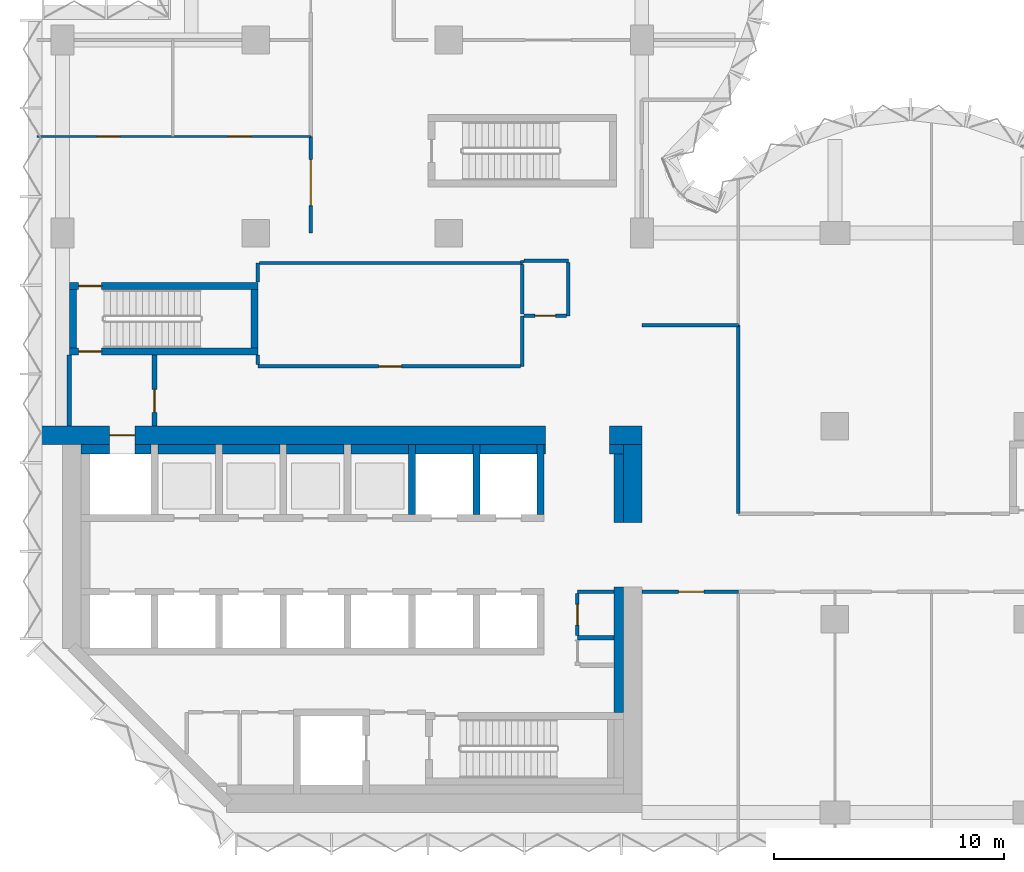
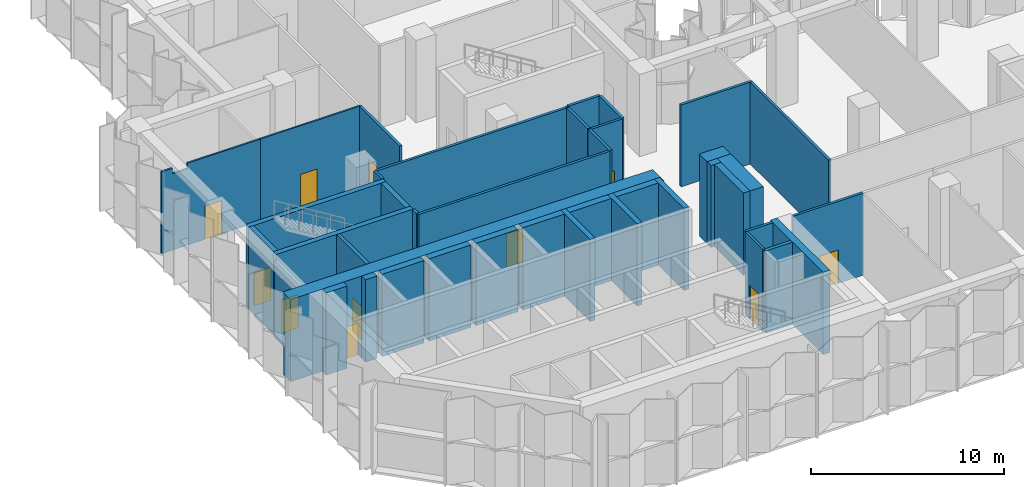
# One storey, part 9 of 15: 43 walls, 11 doors, 11 openings.
"""IFC4 building model written with IfcOpenShell, lengths in metres."""

from ifc_helpers import new_model, si_unit, direction, frame, frame_2d, origin, place, context, subcontext, project, spatial, polyline, rectangle, outline, extrude, material, layer, layer_set, type_object, element, fill, save


model = new_model("IFC4")

# Units and contexts
model_context = context("Model", 3, precision=1e-05, world=origin(), true_north=direction((0.0, 1.0)))
body_context = subcontext(model_context, "Body", "Model", "MODEL_VIEW")
ifc_project = project(units=[si_unit("LENGTHUNIT", "METRE"), si_unit("AREAUNIT", "SQUARE_METRE"), si_unit("VOLUMEUNIT", "CUBIC_METRE"), si_unit("PLANEANGLEUNIT", "RADIAN"), si_unit("MASSUNIT", "GRAM", prefix="KILO")], contexts=[model_context])

# Site, building, storey
site_placement = place(None, origin())
site = spatial("IfcSite", under=ifc_project, at=site_placement, CompositionType="ELEMENT")
building_placement = place(site_placement, origin())
building = spatial("IfcBuilding", under=site, at=building_placement, Name="Brevane Broadcast Tower", CompositionType="ELEMENT")
storey_placement = place(building_placement, frame((0.0, 0.0, 156.5)))
storey = spatial("IfcBuildingStorey", under=building, at=storey_placement, Name="L39", CompositionType="ELEMENT", Elevation=156.5)

# Walls
ifc_material_1 = material(Name="Concrete C32/40", Category="concrete")
ifc_layer_1 = layer(ifc_material_1, 0.39990234375)
ifc_layer_set_1 = layer_set([ifc_layer_1], Name="Core chase wall 400 mm")
wall_type_1 = type_object("IfcWallType", Name="Core chase wall 400 mm", PredefinedType="PARTITIONING", material=ifc_layer_set_1)
wall_1_placement = place(storey_placement, frame((24.199951171875, 12.60009765625, 0.0), z_axis=(0.0, 0.0, 1.0), x_axis=(0.0, 1.0, 0.0)))
element("IfcWall", 1, at=wall_1_placement, inside=storey, type_object=wall_type_1, Name="L39 chase wall LE2", PredefinedType="PARTITIONING", context=body_context, shape_type="SweptSolid", body=[
    extrude(rectangle(XDim=3.0, YDim=0.39990234375, at=frame_2d((1.5, 0.0))), origin(), (0.0, 0.0, 1.0), 5.199951171875),
])
wall_2_placement = place(storey_placement, frame((0.800048828125, 15.800048828125, 0.0), z_axis=(0.0, 0.0, 1.0), x_axis=(1.0, 0.0, 0.0)))
element("IfcWall", 2, at=wall_2_placement, inside=storey, type_object=wall_type_1, Name="L39 chase wall LN0", PredefinedType="PARTITIONING", context=body_context, shape_type="SweptSolid", body=[
    extrude(rectangle(XDim=1.25, YDim=0.39990234375, at=frame_2d((0.625, 0.0))), origin(), (0.0, 0.0, 1.0), 5.199951171875),
])
wall_3_placement = place(storey_placement, frame((23.800048828125, 15.800048828125, 0.0), z_axis=(0.0, 0.0, 1.0), x_axis=(1.0, 0.0, 0.0)))
element("IfcWall", 3, at=wall_3_placement, inside=storey, type_object=wall_type_1, Name="L39 chase wall LN2", PredefinedType="PARTITIONING", context=body_context, shape_type="SweptSolid", body=[
    extrude(rectangle(XDim=0.599853515625, YDim=0.39990234375, at=frame_2d((0.2998046875, 0.0))), origin(), (0.0, 0.0, 1.0), 5.199951171875),
])
wall_4_placement = place(storey_placement, frame((3.14990234375, 15.800048828125, 0.0), z_axis=(0.0, 0.0, 1.0), x_axis=(1.0, 0.0, 0.0)))
element("IfcWall", 4, at=wall_4_placement, inside=storey, type_object=wall_type_1, Name="L39 chase wall LN1-1", PredefinedType="PARTITIONING", context=body_context, shape_type="SweptSolid", body=[
    extrude(rectangle(XDim=0.7001953125, YDim=0.39990234375, at=frame_2d((0.35009765625, 0.0))), origin(), (0.0, 0.0, 1.0), 5.199951171875),
])
for number, where, z_axis, x_axis, name in (
    (5, (4.14990234375, 15.800048828125, 0.0), (0.0, 0.0, 1.0), (1.0, 0.0, 0.0), "L39 chase wall LN1-2-1"),
    (6, (6.949951171875, 15.800048828125, 0.0), (0.0, 0.0, 1.0), (1.0, 0.0, 0.0), "L39 chase wall LN1-2-2-1"),
    (7, (9.75, 15.800048828125, 0.0), (0.0, 0.0, 1.0), (1.0, 0.0, 0.0), "L39 chase wall LN1-2-2-2-1"),
    (8, (12.550048828125, 15.800048828125, 0.0), (0.0, 0.0, 1.0), (1.0, 0.0, 0.0), "L39 chase wall LN1-2-2-2-2-1"),
    (9, (15.35009765625, 15.800048828125, 0.0), (0.0, 0.0, 1.0), (1.0, 0.0, 0.0), "L39 chase wall LN1-2-2-2-2-2-1"),
    (10, (18.14990234375, 15.800048828125, 0.0), (0.0, 0.0, 1.0), (1.0, 0.0, 0.0), "L39 chase wall LN1-2-2-2-2-2-2-1"),
):
    element("IfcWall", number, at=place(storey_placement, frame(where, z_axis=z_axis, x_axis=x_axis)), inside=storey, type_object=wall_type_1, Name=name, PredefinedType="PARTITIONING", context=body_context, shape_type="SweptSolid", body=[
        extrude(rectangle(XDim=2.5, YDim=0.39990234375, at=frame_2d((1.25, 0.0))), origin(), (0.0, 0.0, 1.0), 5.199951171875),
    ])
wall_5_placement = place(storey_placement, frame((20.949951171875, 15.800048828125, 0.0), z_axis=(0.0, 0.0, 1.0), x_axis=(1.0, 0.0, 0.0)))
element("IfcWall", 11, at=wall_5_placement, inside=storey, type_object=wall_type_1, Name="L39 chase wall LN1-2-2-2-2-2-2-2", PredefinedType="PARTITIONING", context=body_context, shape_type="SweptSolid", body=[
    extrude(rectangle(XDim=0.050048828125, YDim=0.39990234375, at=frame_2d((0.02490234375, 0.0))), origin(), (0.0, 0.0, 1.0), 5.199951171875),
])
wall_6_placement = place(storey_placement, frame((24.199951171875, 4.35009765625, 0.0), z_axis=(0.0, 0.0, 1.0), x_axis=(0.0, 1.0, 0.0)))
element("IfcWall", 12, at=wall_6_placement, inside=storey, type_object=wall_type_1, Name="L39 chase wall LE1-2-2", PredefinedType="PARTITIONING", context=body_context, shape_type="SweptSolid", body=[
    extrude(rectangle(XDim=5.449951171875, YDim=0.39990234375, at=frame_2d((2.72509765625, 0.0))), origin(), (0.0, 0.0, 1.0), 5.199951171875),
])
ifc_material_2 = material(Name="Gypsum board on steel studs", Category="steel")
ifc_layer_2 = layer(ifc_material_2, 0.14990234375)
ifc_layer_set_2 = layer_set([ifc_layer_2], Name="Core fire partition 150 mm")
wall_type_2 = type_object("IfcWallType", Name="Core fire partition 150 mm", PredefinedType="PARTITIONING", material=ifc_layer_set_2)
wall_7_placement = place(storey_placement, frame((20.0, 21.60009765625, 0.0), z_axis=(0.0, 0.0, 1.0), x_axis=(0.0, -1.0, 0.0)))
element("IfcWall", 13, at=wall_7_placement, inside=storey, type_object=wall_type_2, Name="L39 partition wall P12", PredefinedType="PARTITIONING", context=body_context, shape_type="SweptSolid", body=[
    extrude(rectangle(XDim=2.2001953125, YDim=0.14990234375, at=frame_2d((1.10009765625, 0.0))), origin(), (0.0, 0.0, 1.0), 5.199951171875),
])

# Wall, opening, door
wall_8_placement = place(storey_placement, frame((19.925048828125, 19.39990234375, 0.0), z_axis=(0.0, 0.0, 1.0), x_axis=(-1.0, 0.0, 0.0)))
wall_8 = element("IfcWall", 14, at=wall_8_placement, inside=storey, type_object=wall_type_2, Name="L39 partition wall P13", PredefinedType="PARTITIONING", context=body_context, shape_type="SweptSolid", body=[
    extrude(rectangle(XDim=11.425048828125, YDim=0.14990234375, at=frame_2d((5.71240234375, 0.0))), origin(), (0.0, 0.0, 1.0), 5.199951171875),
])
opening_1_placement = place(wall_8_placement, frame((5.175048828125, 0.0, 0.0)))
opening_1 = element("IfcOpeningElement", 15, at=opening_1_placement, cuts=wall_8, Name="Opening L39-K29", PredefinedType="OPENING", context=body_context, shape_type="SweptSolid", body=[
    extrude(rectangle(XDim=1.0, YDim=2.10009765625, at=frame_2d((0.5, 1.050048828125))), frame((0.0, 0.0849609375, 0.0), z_axis=(0.0, -1.0, 0.0), x_axis=(1.0, 0.0, 0.0)), (0.0, 0.0, 1.0), 0.169921875),
])
ifc_material_3 = material(Name="Steel", Category="steel")
door_type_1 = type_object("IfcDoorType", Name="Service room door 1000 x 2100", OperationType="SINGLE_SWING_LEFT", PredefinedType="DOOR", material=ifc_material_3)
door_1_placement = place(opening_1_placement, origin())
door_1 = element("IfcDoor", 16, at=door_1_placement, inside=storey, type_object=door_type_1, Name="Door L39-K29", OperationType="SINGLE_SWING_LEFT", OverallHeight=2.10009765625, OverallWidth=1.0, PredefinedType="DOOR", context=body_context, shape_type="SweptSolid", body=[
    extrude(rectangle(XDim=1.0, YDim=2.10009765625, at=frame_2d((0.5, 1.050048828125))), frame((0.0, 0.02490234375, 0.0), z_axis=(0.0, -1.0, 0.0), x_axis=(1.0, 0.0, 0.0)), (0.0, 0.0, 1.0), 0.050048828125),
])
fill(opening_1, door_1)

# Walls
wall_9_placement = place(storey_placement, frame((8.5, 19.47509765625, 0.0), z_axis=(0.0, 0.0, 1.0), x_axis=(0.0, 1.0, 0.0)))
element("IfcWall", 17, at=wall_9_placement, inside=storey, type_object=wall_type_2, Name="L39 partition wall P14", PredefinedType="PARTITIONING", context=body_context, shape_type="SweptSolid", body=[
    extrude(rectangle(XDim=0.412841796875, YDim=0.14990234375, at=frame_2d((0.20654296875, 0.0))), origin(), (0.0, 0.0, 1.0), 5.199951171875),
])
wall_10_placement = place(storey_placement, frame((8.5, 23.06201171875, 0.0), z_axis=(0.0, 0.0, 1.0), x_axis=(0.0, 1.0, 0.0)))
element("IfcWall", 18, at=wall_10_placement, inside=storey, type_object=wall_type_2, Name="L39 partition wall P15", PredefinedType="PARTITIONING", context=body_context, shape_type="SweptSolid", body=[
    extrude(rectangle(XDim=0.837890625, YDim=0.14990234375, at=frame_2d((0.4189453125, 0.0))), origin(), (0.0, 0.0, 1.0), 5.199951171875),
])
wall_11_placement = place(storey_placement, frame((8.574951171875, 23.89990234375, 0.0), z_axis=(0.0, 0.0, 1.0), x_axis=(1.0, 0.0, 0.0)))
element("IfcWall", 19, at=wall_11_placement, inside=storey, type_object=wall_type_2, Name="L39 partition wall P16", PredefinedType="PARTITIONING", context=body_context, shape_type="SweptSolid", body=[
    extrude(rectangle(XDim=11.425048828125, YDim=0.14990234375, at=frame_2d((5.71240234375, 0.0))), origin(), (0.0, 0.0, 1.0), 5.199951171875),
])
wall_12_placement = place(storey_placement, frame((20.0, 23.89990234375, 0.0), z_axis=(0.0, 0.0, 1.0), x_axis=(0.0, 1.0, 0.0)))
element("IfcWall", 20, at=wall_12_placement, inside=storey, type_object=wall_type_2, Name="L39 partition wall P17", PredefinedType="PARTITIONING", context=body_context, shape_type="SweptSolid", body=[
    extrude(rectangle(XDim=0.10009765625, YDim=0.14990234375, at=frame_2d((0.050048828125, 0.0))), origin(), (0.0, 0.0, 1.0), 5.199951171875),
])
wall_13_placement = place(storey_placement, frame((20.074951171875, 24.0, 0.0), z_axis=(0.0, 0.0, 1.0), x_axis=(1.0, 0.0, 0.0)))
element("IfcWall", 21, at=wall_13_placement, inside=storey, type_object=wall_type_2, Name="L39 partition wall P18", PredefinedType="PARTITIONING", context=body_context, shape_type="SweptSolid", body=[
    extrude(rectangle(XDim=1.925048828125, YDim=0.14990234375, at=frame_2d((0.96240234375, 0.0))), origin(), (0.0, 0.0, 1.0), 5.199951171875),
])
wall_14_placement = place(storey_placement, frame((22.0, 23.925048828125, 0.0), z_axis=(0.0, 0.0, 1.0), x_axis=(0.0, -1.0, 0.0)))
element("IfcWall", 22, at=wall_14_placement, inside=storey, type_object=wall_type_2, Name="L39 partition wall P19", PredefinedType="PARTITIONING", context=body_context, shape_type="SweptSolid", body=[
    extrude(rectangle(XDim=2.324951171875, YDim=0.14990234375, at=frame_2d((1.16259765625, 0.0))), origin(), (0.0, 0.0, 1.0), 5.199951171875),
])

# Wall, opening, door
wall_15_placement = place(storey_placement, frame((21.925048828125, 21.60009765625, 0.0), z_axis=(0.0, 0.0, 1.0), x_axis=(-1.0, 0.0, 0.0)))
wall_15 = element("IfcWall", 23, at=wall_15_placement, inside=storey, type_object=wall_type_2, Name="L39 partition wall P20", PredefinedType="PARTITIONING", context=body_context, shape_type="SweptSolid", body=[
    extrude(rectangle(XDim=1.85009765625, YDim=0.14990234375, at=frame_2d((0.925048828125, 0.0))), origin(), (0.0, 0.0, 1.0), 5.199951171875),
])
opening_2_placement = place(wall_15_placement, frame((0.47509765625, 0.0, 0.0)))
opening_2 = element("IfcOpeningElement", 24, at=opening_2_placement, cuts=wall_15, Name="Opening L39-K28", PredefinedType="OPENING", context=body_context, shape_type="SweptSolid", body=[
    extrude(rectangle(XDim=0.89990234375, YDim=2.10009765625, at=frame_2d((0.449951171875, 1.050048828125))), frame((0.0, 0.0849609375, 0.0), z_axis=(0.0, -1.0, 0.0), x_axis=(1.0, 0.0, 0.0)), (0.0, 0.0, 1.0), 0.169921875),
])
ifc_material_4 = material(Name="Timber", Category="wood")
door_type_2 = type_object("IfcDoorType", Name="Toilet door 900 x 2100", OperationType="SINGLE_SWING_LEFT", PredefinedType="DOOR", material=ifc_material_4)
door_2_placement = place(opening_2_placement, origin())
door_2 = element("IfcDoor", 25, at=door_2_placement, inside=storey, type_object=door_type_2, Name="Door L39-K28", OperationType="SINGLE_SWING_RIGHT", OverallHeight=2.10009765625, OverallWidth=0.89990234375, PredefinedType="DOOR", context=body_context, shape_type="SweptSolid", body=[
    extrude(rectangle(XDim=0.89990234375, YDim=2.10009765625, at=frame_2d((0.449951171875, 1.050048828125))), frame((0.0, 0.02490234375, 0.0), z_axis=(0.0, -1.0, 0.0), x_axis=(1.0, 0.0, 0.0)), (0.0, 0.0, 1.0), 0.050048828125),
])
fill(opening_2, door_2)

# Walls
wall_16_placement = place(storey_placement, frame((20.0, 21.675048828125, 0.0), z_axis=(0.0, 0.0, 1.0), x_axis=(0.0, 1.0, 0.0)))
element("IfcWall", 26, at=wall_16_placement, inside=storey, type_object=wall_type_2, Name="L39 partition wall P21", PredefinedType="PARTITIONING", context=body_context, shape_type="SweptSolid", body=[
    extrude(rectangle(XDim=2.14990234375, YDim=0.14990234375, at=frame_2d((1.074951171875, 0.0))), origin(), (0.0, 0.0, 1.0), 5.199951171875),
])
wall_17_placement = place(storey_placement, frame((23.988037109375, 9.60009765625, 0.0), z_axis=(0.0, 0.0, 1.0), x_axis=(-1.0, 0.0, 0.0)))
element("IfcWall", 27, at=wall_17_placement, inside=storey, type_object=wall_type_2, Name="L39 partition wall P22", PredefinedType="PARTITIONING", context=body_context, shape_type="SweptSolid", body=[
    extrude(rectangle(XDim=1.588134765625, YDim=0.14990234375, at=frame_2d((0.7939453125, 0.0))), origin(), (0.0, 0.0, 1.0), 5.199951171875),
])

# Wall, opening, door
wall_18_placement = place(storey_placement, frame((22.39990234375, 9.52490234375, 0.0), z_axis=(0.0, 0.0, 1.0), x_axis=(0.0, -1.0, 0.0)))
wall_18 = element("IfcWall", 28, at=wall_18_placement, inside=storey, type_object=wall_type_2, Name="L39 partition wall P23", PredefinedType="PARTITIONING", context=body_context, shape_type="SweptSolid", body=[
    extrude(rectangle(XDim=1.824951171875, YDim=0.14990234375, at=frame_2d((0.91259765625, 0.0))), origin(), (0.0, 0.0, 1.0), 5.199951171875),
])
opening_3_placement = place(wall_18_placement, frame((0.47509765625, 0.0, 0.0)))
opening_3 = element("IfcOpeningElement", 29, at=opening_3_placement, cuts=wall_18, Name="Opening L39-K26", PredefinedType="OPENING", context=body_context, shape_type="SweptSolid", body=[
    extrude(rectangle(XDim=0.89990234375, YDim=2.10009765625, at=frame_2d((0.449951171875, 1.050048828125))), frame((0.0, 0.0849609375, 0.0), z_axis=(0.0, -1.0, 0.0), x_axis=(1.0, 0.0, 0.0)), (0.0, 0.0, 1.0), 0.169921875),
])
door_type_3 = type_object("IfcDoorType", Name="Service room door 900 x 2100", OperationType="SINGLE_SWING_LEFT", PredefinedType="DOOR", material=ifc_material_3)
door_3_placement = place(opening_3_placement, origin())
door_3 = element("IfcDoor", 30, at=door_3_placement, inside=storey, type_object=door_type_3, Name="Door L39-K26", OperationType="SINGLE_SWING_RIGHT", OverallHeight=2.10009765625, OverallWidth=0.89990234375, PredefinedType="DOOR", context=body_context, shape_type="SweptSolid", body=[
    extrude(rectangle(XDim=0.89990234375, YDim=2.10009765625, at=frame_2d((0.449951171875, 1.050048828125))), frame((0.0, 0.02490234375, 0.0), z_axis=(0.0, -1.0, 0.0), x_axis=(1.0, 0.0, 0.0)), (0.0, 0.0, 1.0), 0.050048828125),
])
fill(opening_3, door_3)

# Wall
ifc_layer_3 = layer(ifc_material_2, 0.199951171875)
ifc_layer_set_3 = layer_set([ifc_layer_3], Name="Core fire partition 200 mm")
wall_type_3 = type_object("IfcWallType", Name="Core fire partition 200 mm", PredefinedType="PARTITIONING", material=ifc_layer_set_3)
wall_19_placement = place(storey_placement, frame((0.300048828125, 16.81201171875, 0.0), z_axis=(0.0, 0.0, 1.0), x_axis=(0.0, 1.0, 0.0)))
element("IfcWall", 31, at=wall_19_placement, inside=storey, type_object=wall_type_3, Name="L39 partition wall P01", PredefinedType="PARTITIONING", context=body_context, shape_type="SweptSolid", body=[
    extrude(rectangle(XDim=3.075927734375, YDim=0.199951171875, at=frame_2d((1.5380859375, 0.0))), origin(), (0.0, 0.0, 1.0), 4.830078125),
])

# Wall, opening, door
wall_20_placement = place(storey_placement, frame((4.0, 19.887939453125, 0.0), z_axis=(0.0, 0.0, 1.0), x_axis=(0.0, -1.0, 0.0)))
wall_20 = element("IfcWall", 32, at=wall_20_placement, inside=storey, type_object=wall_type_3, Name="L39 partition wall P02", PredefinedType="PARTITIONING", context=body_context, shape_type="SweptSolid", body=[
    extrude(rectangle(XDim=3.075927734375, YDim=0.199951171875, at=frame_2d((1.5380859375, 0.0))), origin(), (0.0, 0.0, 1.0), 5.199951171875),
])
opening_4_placement = place(wall_20_placement, frame((1.488037109375, 0.0, 0.0)))
opening_4 = element("IfcOpeningElement", 33, at=opening_4_placement, cuts=wall_20, Name="Opening L39-K27", PredefinedType="OPENING", context=body_context, shape_type="SweptSolid", body=[
    extrude(rectangle(XDim=1.0, YDim=2.10009765625, at=frame_2d((0.5, 1.050048828125))), frame((0.0, 0.10986328125, 0.0), z_axis=(0.0, -1.0, 0.0), x_axis=(1.0, 0.0, 0.0)), (0.0, 0.0, 1.0), 0.219970703125),
])
door_type_4 = type_object("IfcDoorType", Name="Stair door 1000 x 2100", OperationType="SINGLE_SWING_LEFT", PredefinedType="DOOR", material=ifc_material_3)
door_4_placement = place(opening_4_placement, origin())
door_4 = element("IfcDoor", 34, at=door_4_placement, inside=storey, type_object=door_type_4, Name="Door L39-K27", OperationType="SINGLE_SWING_LEFT", OverallHeight=2.10009765625, OverallWidth=1.0, PredefinedType="DOOR", context=body_context, shape_type="SweptSolid", body=[
    extrude(rectangle(XDim=1.0, YDim=2.10009765625, at=frame_2d((0.5, 1.050048828125))), frame((0.0, 0.02490234375, 0.0), z_axis=(0.0, -1.0, 0.0), x_axis=(1.0, 0.0, 0.0)), (0.0, 0.0, 1.0), 0.050048828125),
])
fill(opening_4, door_4)

# Walls
wall_21_placement = place(storey_placement, frame((23.988037109375, 7.60009765625, 0.0), z_axis=(0.0, 0.0, 1.0), x_axis=(-1.0, 0.0, 0.0)))
element("IfcWall", 35, at=wall_21_placement, inside=storey, type_object=wall_type_3, Name="L39 partition wall P04", PredefinedType="PARTITIONING", context=body_context, shape_type="SweptSolid", body=[
    extrude(rectangle(XDim=1.588134765625, YDim=0.199951171875, at=frame_2d((0.7939453125, 0.0))), origin(), (0.0, 0.0, 1.0), 5.199951171875),
])
ifc_material_5 = material(Name="Concrete C60/75", Category="concrete")
ifc_layer_4 = layer(ifc_material_5, 0.300048828125)
ifc_layer_set_4 = layer_set([ifc_layer_4], Name="Core wall 300 mm C60/75")
wall_type_4 = type_object("IfcWallType", Name="Core wall 300 mm C60/75", PredefinedType="SHEAR", material=ifc_layer_set_4)
for number, where, z_axis, x_axis, name in (
    (36, (15.199951171875, 12.949951171875, 0.0), (0.0, 0.0, 1.0), (0.0, 1.0, 0.0), "L39 shaft wall SH-N-P152"),
    (37, (18.0, 12.949951171875, 0.0), (0.0, 0.0, 1.0), (0.0, 1.0, 0.0), "L39 shaft wall SH-N-P180"),
    (38, (20.800048828125, 12.949951171875, 0.0), (0.0, 0.0, 1.0), (0.0, 1.0, 0.0), "L39 shaft wall SH-N-P208"),
):
    element("IfcWall", number, at=place(storey_placement, frame(where, z_axis=z_axis, x_axis=x_axis)), inside=storey, type_object=wall_type_4, Name=name, PredefinedType="SHEAR", context=body_context, shape_type="SweptSolid", body=[
        extrude(rectangle(XDim=3.050048828125, YDim=0.300048828125, at=frame_2d((1.52490234375, 0.0))), origin(), (0.0, 0.0, 1.0), 5.199951171875),
    ])

# Wall, opening, door
wall_22_placement = place(storey_placement, frame((8.5, 20.050048828125, 0.0), z_axis=(0.0, 0.0, 1.0), x_axis=(-1.0, 0.0, 0.0)))
wall_22 = element("IfcWall", 39, at=wall_22_placement, inside=storey, type_object=wall_type_4, Name="L39 stair wall ST-1-S", PredefinedType="SHEAR", context=body_context, shape_type="SweptSolid", body=[
    extrude(rectangle(XDim=8.199951171875, YDim=0.300048828125, at=frame_2d((4.10009765625, 0.0))), origin(), (0.0, 0.0, 1.0), 5.199951171875),
])
opening_5_placement = place(wall_22_placement, frame((6.800048828125, 0.0, 0.0)))
opening_5 = element("IfcOpeningElement", 40, at=opening_5_placement, cuts=wall_22, Name="Opening L39-K16", PredefinedType="OPENING", context=body_context, shape_type="SweptSolid", body=[
    extrude(rectangle(XDim=1.0, YDim=2.10009765625, at=frame_2d((0.5, 1.050048828125))), frame((0.0, 0.159912109375, 0.0), z_axis=(0.0, -1.0, 0.0), x_axis=(1.0, 0.0, 0.0)), (0.0, 0.0, 1.0), 0.320068359375),
])
door_5_placement = place(opening_5_placement, origin())
door_5 = element("IfcDoor", 41, at=door_5_placement, inside=storey, type_object=door_type_4, Name="Door L39-K16", OperationType="SINGLE_SWING_RIGHT", OverallHeight=2.10009765625, OverallWidth=1.0, PredefinedType="DOOR", context=body_context, shape_type="SweptSolid", body=[
    extrude(rectangle(XDim=1.0, YDim=2.10009765625, at=frame_2d((0.5, 1.050048828125))), frame((0.0, 0.02490234375, 0.0), z_axis=(0.0, -1.0, 0.0), x_axis=(1.0, 0.0, 0.0)), (0.0, 0.0, 1.0), 0.050048828125),
])
fill(opening_5, door_5)

wall_23_placement = place(storey_placement, frame((0.300048828125, 22.89990234375, 0.0), z_axis=(0.0, 0.0, 1.0), x_axis=(1.0, 0.0, 0.0)))
wall_23 = element("IfcWall", 42, at=wall_23_placement, inside=storey, type_object=wall_type_4, Name="L39 stair wall ST-1-N", PredefinedType="SHEAR", context=body_context, shape_type="SweptSolid", body=[
    extrude(rectangle(XDim=8.199951171875, YDim=0.300048828125, at=frame_2d((4.10009765625, 0.0))), origin(), (0.0, 0.0, 1.0), 5.199951171875),
])
opening_6_placement = place(wall_23_placement, frame((0.39990234375, 0.0, 0.0)))
opening_6 = element("IfcOpeningElement", 43, at=opening_6_placement, cuts=wall_23, Name="Opening L39-K17", PredefinedType="OPENING", context=body_context, shape_type="SweptSolid", body=[
    extrude(rectangle(XDim=1.0, YDim=2.10009765625, at=frame_2d((0.5, 1.050048828125))), frame((0.0, 0.159912109375, 0.0), z_axis=(0.0, -1.0, 0.0), x_axis=(1.0, 0.0, 0.0)), (0.0, 0.0, 1.0), 0.320068359375),
])
door_6_placement = place(opening_6_placement, origin())
door_6 = element("IfcDoor", 44, at=door_6_placement, inside=storey, type_object=door_type_4, Name="Door L39-K17", OperationType="SINGLE_SWING_LEFT", OverallHeight=2.10009765625, OverallWidth=1.0, PredefinedType="DOOR", context=body_context, shape_type="SweptSolid", body=[
    extrude(rectangle(XDim=1.0, YDim=2.10009765625, at=frame_2d((0.5, 1.050048828125))), frame((0.0, 0.02490234375, 0.0), z_axis=(0.0, -1.0, 0.0), x_axis=(1.0, 0.0, 0.0)), (0.0, 0.0, 1.0), 0.050048828125),
])
fill(opening_6, door_6)

# Walls
for number, where, z_axis, x_axis, name in (
    (45, (0.449951171875, 20.199951171875, 0.0), (0.0, 0.0, 1.0), (0.0, 1.0, 0.0), "L39 stair wall ST-1-W"),
    (46, (8.35009765625, 20.199951171875, 0.0), (0.0, 0.0, 1.0), (0.0, 1.0, 0.0), "L39 stair wall ST-1-E"),
):
    element("IfcWall", number, at=place(storey_placement, frame(where, z_axis=z_axis, x_axis=x_axis)), inside=storey, type_object=wall_type_4, Name=name, PredefinedType="SHEAR", context=body_context, shape_type="SweptSolid", body=[
        extrude(rectangle(XDim=2.550048828125, YDim=0.300048828125, at=frame_2d((1.27490234375, 0.0))), origin(), (0.0, 0.0, 1.0), 5.199951171875),
    ])

# Wall, opening, door
ifc_layer_5 = layer(ifc_material_5, 0.800048828125)
ifc_layer_set_5 = layer_set([ifc_layer_5], Name="Core wall 800 mm C60/75")
wall_type_5 = type_object("IfcWallType", Name="Core wall 800 mm C60/75", PredefinedType="SHEAR", material=ifc_layer_set_5)
wall_24_placement = place(storey_placement, frame((-1.10009765625, 16.39990234375, 0.0), z_axis=(0.0, 0.0, 1.0), x_axis=(1.0, 0.0, 0.0)))
wall_24 = element("IfcWall", 47, at=wall_24_placement, inside=storey, type_object=wall_type_5, Name="L39 outer wall WN1", PredefinedType="SHEAR", context=body_context, shape_type="SweptSolid", body=[
    extrude(rectangle(XDim=22.10009765625, YDim=0.800048828125, at=frame_2d((11.050048828125, 0.0))), origin(), (0.0, 0.0, 1.0), 5.199951171875),
])
opening_7_placement = place(wall_24_placement, frame((3.14990234375, 0.0, 0.0)))
opening_7 = element("IfcOpeningElement", 48, at=opening_7_placement, cuts=wall_24, Name="Opening LD", PredefinedType="OPENING", context=body_context, shape_type="SweptSolid", body=[
    extrude(rectangle(XDim=1.10009765625, YDim=2.300048828125, at=frame_2d((0.550048828125, 1.14990234375))), frame((0.0, 0.409912109375, 0.0), z_axis=(0.0, -1.0, 0.0), x_axis=(1.0, 0.0, 0.0)), (0.0, 0.0, 1.0), 0.820068359375),
])
ifc_material_6 = material(Name="Stainless steel", Category="steel")
door_type_5 = type_object("IfcDoorType", Name="Lift landing door", OperationType="SLIDING_TO_LEFT", PredefinedType="DOOR", material=ifc_material_6)
door_7_placement = place(opening_7_placement, origin())
door_7 = element("IfcDoor", 49, at=door_7_placement, inside=storey, type_object=door_type_5, Name="Landing door FF1 L39", OperationType="SLIDING_TO_LEFT", OverallHeight=2.300048828125, OverallWidth=1.10009765625, PredefinedType="DOOR", context=body_context, shape_type="SweptSolid", body=[
    extrude(rectangle(XDim=1.10009765625, YDim=2.300048828125, at=frame_2d((0.550048828125, 1.14990234375))), frame((0.0, 0.02490234375, 0.0), z_axis=(0.0, -1.0, 0.0), x_axis=(1.0, 0.0, 0.0)), (0.0, 0.0, 1.0), 0.050048828125),
])
fill(opening_7, door_7)

# Walls
wall_25_placement = place(storey_placement, frame((23.800048828125, 16.39990234375, 0.0), z_axis=(0.0, 0.0, 1.0), x_axis=(1.0, 0.0, 0.0)))
element("IfcWall", 50, at=wall_25_placement, inside=storey, type_object=wall_type_5, Name="L39 outer wall WN2", PredefinedType="SHEAR", context=body_context, shape_type="SweptSolid", body=[
    extrude(rectangle(XDim=1.39990234375, YDim=0.800048828125, at=frame_2d((0.699951171875, 0.0))), origin(), (0.0, 0.0, 1.0), 5.199951171875),
])
wall_26_placement = place(storey_placement, frame((24.800048828125, 12.60009765625, 0.0), z_axis=(0.0, 0.0, 1.0), x_axis=(0.0, 1.0, 0.0)))
element("IfcWall", 51, at=wall_26_placement, inside=storey, type_object=wall_type_5, Name="L39 outer wall WE2", PredefinedType="SHEAR", context=body_context, shape_type="SweptSolid", body=[
    extrude(rectangle(XDim=3.39990234375, YDim=0.800048828125, at=frame_2d((1.699951171875, 0.0))), origin(), (0.0, 0.0, 1.0), 5.199951171875),
])

# Wall, opening, door
ifc_material_7 = material(Name="Gypsum board partition")
ifc_layer_6 = layer(ifc_material_7, 0.10009765625)
ifc_layer_set_6 = layer_set([ifc_layer_6], Name="PARTITION 100 STUD")
wall_type_6 = type_object("IfcWallType", Name="PARTITION 100 STUD", PredefinedType="PARTITIONING", material=ifc_layer_set_6)
wall_27_placement = place(storey_placement, frame((-1.10009765625, 29.39990234375, 0.0), z_axis=(0.0, 0.0, 1.0), x_axis=(1.0, 0.0, 0.0)))
wall_27 = element("IfcWall", 52, at=wall_27_placement, inside=storey, type_object=wall_type_6, Name="Partition S1-046", PredefinedType="PARTITIONING", context=body_context, shape_type="SweptSolid", body=[
    extrude(outline(polyline([(0.0, 0.0), (5.900146484375, 0.0), (5.89990234375, 5.179931640625), (1.550048828125, 5.179931640625), (1.548095703125, 4.830078125), (0.652099609375, 4.830078125), (0.64990234375, 5.179931640625), (0.0, 5.179931640625), (0.0, 0.0)])), frame((0.0, 0.050048828125, 0.0), z_axis=(0.0, -1.0, 0.0), x_axis=(1.0, 0.0, 0.0)), (0.0, 0.0, 1.0), 0.10009765625),
])
opening_8_placement = place(wall_27_placement, frame((2.60009765625, 0.0, 0.0)))
opening_8 = element("IfcOpeningElement", 53, at=opening_8_placement, cuts=wall_27, Name="Opening D19-014", PredefinedType="OPENING", context=body_context, shape_type="SweptSolid", body=[
    extrude(rectangle(XDim=1.0, YDim=2.10009765625, at=frame_2d((0.5, 1.050048828125))), frame((0.0, 0.06005859375, 0.0), z_axis=(0.0, -1.0, 0.0), x_axis=(1.0, 0.0, 0.0)), (0.0, 0.0, 1.0), 0.1201171875),
])
ifc_material_8 = material(Name="Timber door leaf", Category="wood")
door_type_6 = type_object("IfcDoorType", Name="DOOR SINGLE 1000 INTERNAL", OperationType="SINGLE_SWING_LEFT", PredefinedType="DOOR", material=ifc_material_8)
door_8_placement = place(opening_8_placement, origin())
door_8 = element("IfcDoor", 54, at=door_8_placement, inside=storey, type_object=door_type_6, Name="Door D19-014", OperationType="SINGLE_SWING_LEFT", OverallHeight=2.10009765625, OverallWidth=1.0, PredefinedType="DOOR", context=body_context, shape_type="SweptSolid", body=[
    extrude(rectangle(XDim=1.0, YDim=2.10009765625, at=frame_2d((0.5, 1.050048828125))), frame((0.0, 0.02490234375, 0.0), z_axis=(0.0, -1.0, 0.0), x_axis=(1.0, 0.0, 0.0)), (0.0, 0.0, 1.0), 0.050048828125),
])
fill(opening_8, door_8)

wall_28_placement = place(storey_placement, frame((4.800048828125, 29.39990234375, 0.0), z_axis=(0.0, 0.0, 1.0), x_axis=(1.0, 0.0, 0.0)))
wall_28 = element("IfcWall", 55, at=wall_28_placement, inside=storey, type_object=wall_type_6, Name="Partition S1-047", PredefinedType="PARTITIONING", context=body_context, shape_type="SweptSolid", body=[
    extrude(rectangle(XDim=6.0, YDim=0.10009765625, at=frame_2d((3.0, 0.0))), origin(), (0.0, 0.0, 1.0), 5.179931640625),
])
opening_9_placement = place(wall_28_placement, frame((2.39990234375, 0.0, 0.0)))
opening_9 = element("IfcOpeningElement", 56, at=opening_9_placement, cuts=wall_28, Name="Opening D19-015", PredefinedType="OPENING", context=body_context, shape_type="SweptSolid", body=[
    extrude(rectangle(XDim=1.0, YDim=2.10009765625, at=frame_2d((0.5, 1.050048828125))), frame((0.0, 0.06005859375, 0.0), z_axis=(0.0, -1.0, 0.0), x_axis=(1.0, 0.0, 0.0)), (0.0, 0.0, 1.0), 0.1201171875),
])
door_9_placement = place(opening_9_placement, origin())
door_9 = element("IfcDoor", 57, at=door_9_placement, inside=storey, type_object=door_type_6, Name="Door D19-015", OperationType="SINGLE_SWING_LEFT", OverallHeight=2.10009765625, OverallWidth=1.0, PredefinedType="DOOR", context=body_context, shape_type="SweptSolid", body=[
    extrude(rectangle(XDim=1.0, YDim=2.10009765625, at=frame_2d((0.5, 1.050048828125))), frame((0.0, 0.02490234375, 0.0), z_axis=(0.0, -1.0, 0.0), x_axis=(1.0, 0.0, 0.0)), (0.0, 0.0, 1.0), 0.050048828125),
])
fill(opening_9, door_9)

# Wall
ifc_layer_7 = layer(ifc_material_7, 0.14990234375)
ifc_layer_set_7 = layer_set([ifc_layer_7], Name="PARTITION 150 EI 60")
wall_type_7 = type_object("IfcWallType", Name="PARTITION 150 EI 60", PredefinedType="PARTITIONING", material=ifc_layer_set_7)
wall_29_placement = place(storey_placement, frame((25.199951171875, 21.199951171875, 0.0), z_axis=(0.0, 0.0, 1.0), x_axis=(1.0, 0.0, 0.0)))
element("IfcWall", 58, at=wall_29_placement, inside=storey, type_object=wall_type_7, Name="Partition S1-001", PredefinedType="PARTITIONING", context=body_context, shape_type="SweptSolid", body=[
    extrude(rectangle(XDim=4.199951171875, YDim=0.14990234375, at=frame_2d((2.10009765625, 0.0))), origin(), (0.0, 0.0, 1.0), 5.179931640625),
])

# Wall, opening, door
wall_30_placement = place(storey_placement, frame((29.39990234375, 9.60009765625, 0.0), z_axis=(0.0, 0.0, 1.0), x_axis=(-1.0, 0.0, 0.0)))
wall_30 = element("IfcWall", 59, at=wall_30_placement, inside=storey, type_object=wall_type_7, Name="Partition S1-002", PredefinedType="PARTITIONING", context=body_context, shape_type="SweptSolid", body=[
    extrude(rectangle(XDim=4.199951171875, YDim=0.14990234375, at=frame_2d((2.10009765625, 0.0))), origin(), (0.0, 0.0, 1.0), 5.179931640625),
])
opening_10_placement = place(wall_30_placement, frame((1.5, 0.0, 0.0)))
opening_10 = element("IfcOpeningElement", 60, at=opening_10_placement, cuts=wall_30, Name="Opening D19-003", PredefinedType="OPENING", context=body_context, shape_type="SweptSolid", body=[
    extrude(rectangle(XDim=1.10009765625, YDim=2.10009765625, at=frame_2d((0.550048828125, 1.050048828125))), frame((0.0, 0.0849609375, 0.0), z_axis=(0.0, -1.0, 0.0), x_axis=(1.0, 0.0, 0.0)), (0.0, 0.0, 1.0), 0.169921875),
])
ifc_material_9 = material(Name="Fire-rated timber door leaf", Category="wood")
door_type_7 = type_object("IfcDoorType", Name="DOOR SINGLE 1100 FD30S", OperationType="SINGLE_SWING_LEFT", PredefinedType="DOOR", material=ifc_material_9)
door_10_placement = place(opening_10_placement, origin())
door_10 = element("IfcDoor", 61, at=door_10_placement, inside=storey, type_object=door_type_7, Name="Door D19-003", OperationType="SINGLE_SWING_LEFT", OverallHeight=2.10009765625, OverallWidth=1.10009765625, PredefinedType="DOOR", context=body_context, shape_type="SweptSolid", body=[
    extrude(rectangle(XDim=1.10009765625, YDim=2.10009765625, at=frame_2d((0.550048828125, 1.050048828125))), frame((0.0, 0.02490234375, 0.0), z_axis=(0.0, -1.0, 0.0), x_axis=(1.0, 0.0, 0.0)), (0.0, 0.0, 1.0), 0.050048828125),
])
fill(opening_10, door_10)

# Wall
wall_31_placement = place(storey_placement, frame((29.39990234375, 21.199951171875, 0.0), z_axis=(0.0, 0.0, 1.0), x_axis=(0.0, -1.0, 0.0)))
element("IfcWall", 62, at=wall_31_placement, inside=storey, type_object=wall_type_7, Name="Partition S1-003", PredefinedType="PARTITIONING", context=body_context, shape_type="SweptSolid", body=[
    extrude(rectangle(XDim=8.199951171875, YDim=0.14990234375, at=frame_2d((4.10009765625, 0.0))), origin(), (0.0, 0.0, 1.0), 5.179931640625),
])

# Wall, opening, door
wall_32_placement = place(storey_placement, frame((10.800048828125, 25.199951171875, 0.0), z_axis=(0.0, 0.0, 1.0), x_axis=(0.0, 1.0, 0.0)))
wall_32 = element("IfcWall", 63, at=wall_32_placement, inside=storey, type_object=wall_type_7, Name="Partition S1-032", PredefinedType="PARTITIONING", context=body_context, shape_type="SweptSolid", body=[
    extrude(rectangle(XDim=4.199951171875, YDim=0.14990234375, at=frame_2d((2.10009765625, 0.0))), origin(), (0.0, 0.0, 1.0), 5.179931640625),
])
opening_11_placement = place(wall_32_placement, frame((1.199951171875, 0.0, 0.0)))
opening_11 = element("IfcOpeningElement", 64, at=opening_11_placement, cuts=wall_32, Name="Opening D19-013", PredefinedType="OPENING", context=body_context, shape_type="SweptSolid", body=[
    extrude(rectangle(XDim=2.0, YDim=2.39990234375, at=frame_2d((1.0, 1.199951171875))), frame((0.0, 0.0849609375, 0.0), z_axis=(0.0, -1.0, 0.0), x_axis=(1.0, 0.0, 0.0)), (0.0, 0.0, 1.0), 0.169921875),
])
door_type_8 = type_object("IfcDoorType", Name="DOOR DOUBLE 2000 FD30S", OperationType="DOUBLE_DOOR_SINGLE_SWING", PredefinedType="DOOR", material=ifc_material_9)
door_11_placement = place(opening_11_placement, origin())
door_11 = element("IfcDoor", 65, at=door_11_placement, inside=storey, type_object=door_type_8, Name="Door D19-013", OperationType="DOUBLE_DOOR_SINGLE_SWING", OverallHeight=2.39990234375, OverallWidth=2.0, PredefinedType="DOOR", context=body_context, shape_type="SweptSolid", body=[
    extrude(rectangle(XDim=2.0, YDim=2.39990234375, at=frame_2d((1.0, 1.199951171875))), frame((0.0, 0.02490234375, 0.0), z_axis=(0.0, -1.0, 0.0), x_axis=(1.0, 0.0, 0.0)), (0.0, 0.0, 1.0), 0.050048828125),
])
fill(opening_11, door_11)

save(model, "model.ifc")
